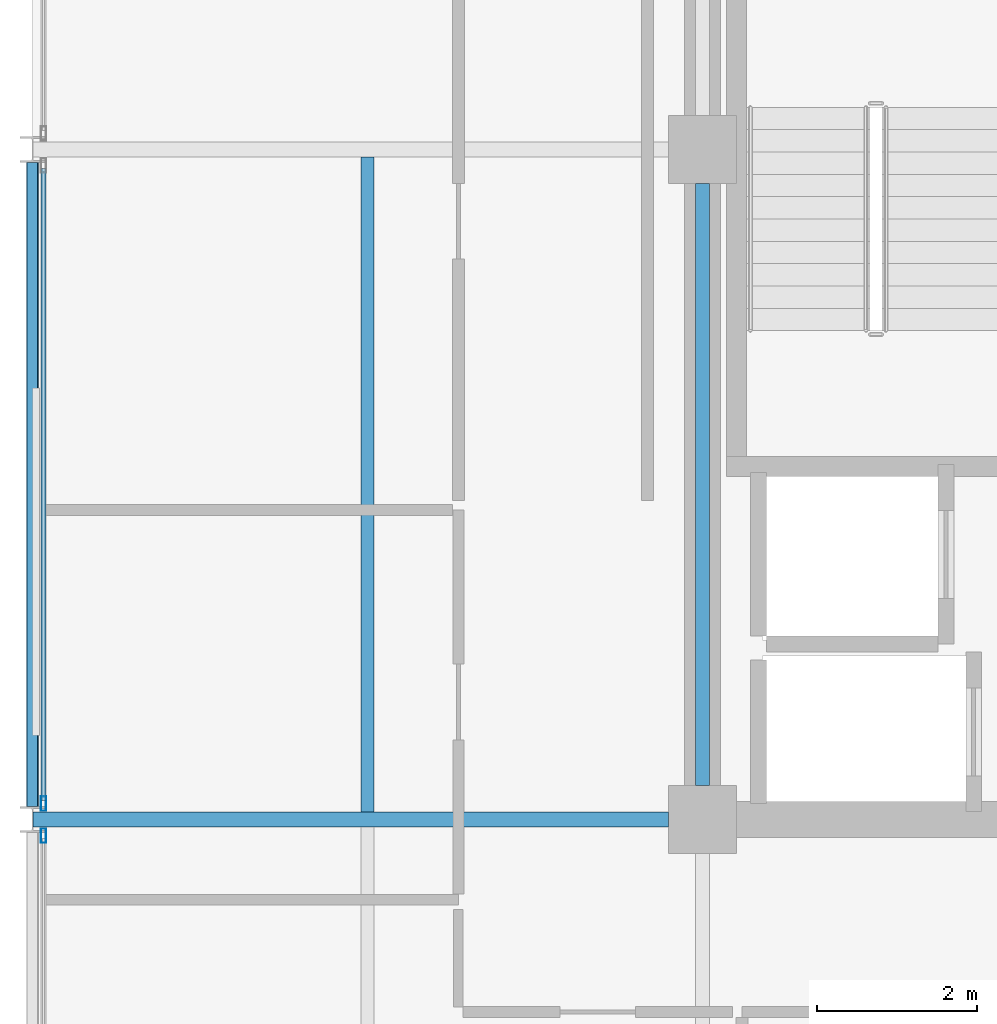
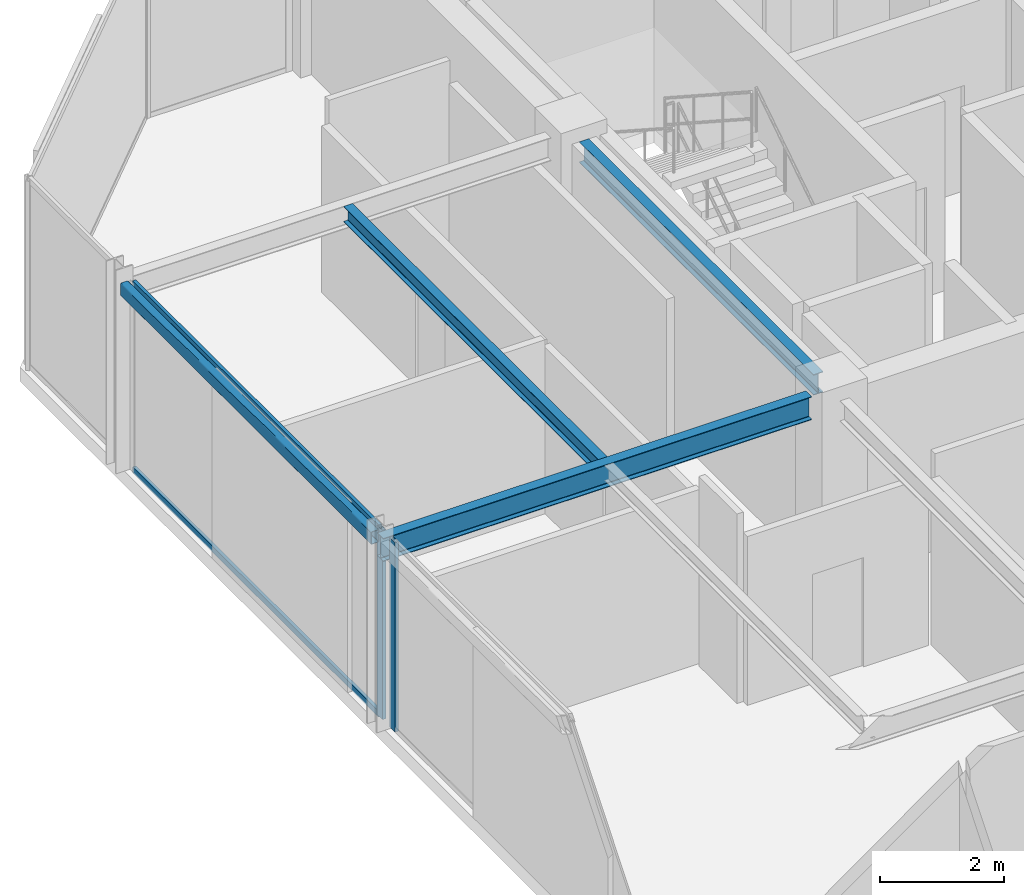
# One storey, part 11 of 24: 4 beams, 4 members, 2 elements without a shape of their own.
"""IFC4 building model written with IfcOpenShell, lengths in metres."""

from ifc_helpers import new_model, si_unit, direction, frame, origin, origin_2d, place, context, subcontext, project, spatial, hollow_rectangle, i_section, extrude, material, layer, layer_set, material_profile, profile_set, type_object, element, aggregate, save


model = new_model("IFC4")

# Units and contexts
model_context = context("Model", 3, precision=1e-05, world=origin(), true_north=direction((0.0, 1.0)))
body_context = subcontext(model_context, "Body", "Model", "MODEL_VIEW")
ifc_project = project(units=[si_unit("LENGTHUNIT", "METRE"), si_unit("AREAUNIT", "SQUARE_METRE"), si_unit("VOLUMEUNIT", "CUBIC_METRE"), si_unit("PLANEANGLEUNIT", "RADIAN"), si_unit("MASSUNIT", "GRAM", prefix="KILO")], contexts=[model_context])

# Site, building, storey
site_placement = place(None, origin())
site = spatial("IfcSite", under=ifc_project, at=site_placement, CompositionType="ELEMENT")
building_placement = place(site_placement, origin())
building = spatial("IfcBuilding", under=site, at=building_placement, Name="Nerrivon Quay Data Exchange", CompositionType="ELEMENT")
storey_placement = place(building_placement, frame((0.0, 0.0, 306.199951171875)))
storey = spatial("IfcBuildingStorey", under=building, at=storey_placement, Name="L73", CompositionType="ELEMENT", Elevation=306.199951171875)

# Beams
ifc_material_1 = material(Name="Steel Grade 350", Category="steel")
ifc_material_profile_1 = material_profile(ifc_material_1, i_section(OverallWidth=0.18994140625, OverallDepth=0.4541015625, WebThickness=0.008544921875, FlangeThickness=0.0126953125, FilletRadius=0.011474609375, at=origin_2d()), Name="460UB67.1")
ifc_profile_set_1 = profile_set([ifc_material_profile_1], Name="Steel Grade 350")
beam_type_1 = type_object("IfcBeamType", Name="BM-G6-460UB67", PredefinedType="BEAM", material=ifc_profile_set_1)
beam_1_placement = place(storey_placement, frame((0.0078125, 25.199951171875, 3.498046875), z_axis=(1.0, 0.0, 0.0), x_axis=(0.0, 1.0, 0.0)))
element("IfcBeam", 1, at=beam_1_placement, inside=storey, type_object=beam_type_1, Name="L73 EW Girder Y=25.2 (0.0..8.4)", PredefinedType="BEAM", context=body_context, shape_type="SweptSolid", body=[
    extrude(i_section(OverallWidth=0.18994140625, OverallDepth=0.4541015625, WebThickness=0.008544921875, FlangeThickness=0.0126953125, FilletRadius=0.011474609375, at=origin_2d()), origin(), (0.0, 0.0, 1.0), 7.96728515625),
])
ifc_material_profile_2 = material_profile(ifc_material_1, i_section(OverallWidth=0.177978515625, OverallDepth=0.406005859375, WebThickness=0.0078125, FlangeThickness=0.0126953125, FilletRadius=0.011474609375, at=origin_2d()), Name="410UB59.7")
ifc_profile_set_2 = profile_set([ifc_material_profile_2], Name="Steel Grade 350")
beam_type_2 = type_object("IfcBeamType", Name="BM-J1-410UB60", PredefinedType="JOIST", material=ifc_profile_set_2)
beam_2_placement = place(storey_placement, frame((8.39990234375, 25.625, 3.52197265625), z_axis=(0.0, 1.0, 0.0), x_axis=(-1.0, 0.0, 0.0)))
element("IfcBeam", 2, at=beam_2_placement, inside=storey, type_object=beam_type_2, Name="L73 NS Girder X=8.4 (25.2..33.6)", PredefinedType="JOIST", context=body_context, shape_type="SweptSolid", body=[
    extrude(i_section(OverallWidth=0.177978515625, OverallDepth=0.406005859375, WebThickness=0.0078125, FlangeThickness=0.0126953125, FilletRadius=0.011474609375, at=origin_2d()), origin(), (0.0, 0.0, 1.0), 7.550048828125),
])
ifc_material_profile_3 = material_profile(ifc_material_1, i_section(OverallWidth=0.1650390625, OverallDepth=0.303955078125, WebThickness=0.006103515625, FlangeThickness=0.01025390625, FilletRadius=0.011474609375, at=origin_2d()), Name="310UB40.4")
ifc_profile_set_3 = profile_set([ifc_material_profile_3], Name="Steel Grade 350")
beam_type_3 = type_object("IfcBeamType", Name="BM-J6-310UB40", PredefinedType="JOIST", material=ifc_profile_set_3)
beam_3_placement = place(storey_placement, frame((4.199951171875, 25.294921875, 3.572998046875), z_axis=(0.0, 1.0, 0.0), x_axis=(-1.0, 0.0, 0.0)))
element("IfcBeam", 3, at=beam_3_placement, inside=storey, type_object=beam_type_3, Name="L73 Secondary Joist X=4.2 (25.2..33.6)", PredefinedType="JOIST", context=body_context, shape_type="SweptSolid", body=[
    extrude(i_section(OverallWidth=0.1650390625, OverallDepth=0.303955078125, WebThickness=0.006103515625, FlangeThickness=0.01025390625, FilletRadius=0.011474609375, at=origin_2d()), origin(), (0.0, 0.0, 1.0), 8.2099609375),
])
ifc_material_2 = material(Name="Steel Grade C350L0 (350 MPa)", Category="steel")
ifc_material_profile_4 = material_profile(ifc_material_2, hollow_rectangle(XDim=0.14990234375, YDim=0.25, WallThickness=0.009033203125, InnerFilletRadius=0.013427734375, OuterFilletRadius=0.0224609375, at=origin_2d()), Name="250x150x9.0RHS")
ifc_profile_set_4 = profile_set([ifc_material_profile_4], Name="Steel Grade C350L0 (350 MPa)")
beam_type_4 = type_object("IfcBeamType", Name="BM-SP4-250x150RHS", PredefinedType="SPANDREL", material=ifc_profile_set_4)
beam_4_placement = place(storey_placement, frame((0.0, 25.363525390625, 3.60009765625), z_axis=(0.0, 1.0, 0.0), x_axis=(-1.0, 0.0, 0.0)))
element("IfcBeam", 4, at=beam_4_placement, inside=storey, type_object=beam_type_4, Name="L73 NS Girder X=0.0 (25.2..33.6)", PredefinedType="SPANDREL", context=body_context, shape_type="SweptSolid", body=[
    extrude(hollow_rectangle(XDim=0.14990234375, YDim=0.25, WallThickness=0.009033203125, InnerFilletRadius=0.013427734375, OuterFilletRadius=0.0224609375, at=origin_2d()), origin(), (0.0, 0.0, 1.0), 8.072998046875),
])

# Curtain wall, member
ifc_material_3 = material(Name="Anodised aluminium 6063-T6", Category="aluminium")
ifc_layer = layer(ifc_material_3, 0.195068359375)
ifc_layer_set = layer_set([ifc_layer], Name="Anodised aluminium 6063-T6")
curtain_wall_type = type_object("IfcCurtainWallType", Name="CW-SYS-06", PredefinedType="NOTDEFINED", material=ifc_layer_set)
curtain_wall_1_placement = place(storey_placement, origin())
curtain_wall_1 = element("IfcCurtainWall", 5, at=curtain_wall_1_placement, inside=storey, type_object=curtain_wall_type, Name="L73 Unitised Curtain Wall 10", PredefinedType="NOTDEFINED")
ifc_material_profile_5 = material_profile(ifc_material_3, hollow_rectangle(XDim=0.06494140625, YDim=0.179931640625, WallThickness=0.00341796875, at=origin_2d()), Name="ALU-MULL-180x65")
ifc_profile_set_5 = profile_set([ifc_material_profile_5], Name="Anodised aluminium 6063-T6")
member_type_1 = type_object("IfcMemberType", Name="CWM-180x65", PredefinedType="MULLION", material=ifc_profile_set_5)
member_1_placement = place(storey_placement, frame((0.139892578125, 24.9990234375, 0.0), z_axis=(0.0, 0.0, 1.0), x_axis=(-1.0, 0.0, 0.0)))
member_1 = element("IfcMember", 6, at=member_1_placement, type_object=member_type_1, Name="CW06 mullion 2", PredefinedType="MULLION", context=body_context, shape_type="SweptSolid", body=[
    extrude(hollow_rectangle(XDim=0.06494140625, YDim=0.179931640625, WallThickness=0.00341796875, at=origin_2d()), origin(), (0.0, 0.0, 1.0), 3.72509765625),
])
aggregate(curtain_wall_1, [member_1])

# Curtain wall, members
curtain_wall_2_placement = place(storey_placement, origin())
curtain_wall_2 = element("IfcCurtainWall", 7, at=curtain_wall_2_placement, inside=storey, type_object=curtain_wall_type, Name="L73 Unitised Curtain Wall 11", PredefinedType="NOTDEFINED")
member_2_placement = place(storey_placement, frame((0.139892578125, 25.40087890625, 0.0), z_axis=(0.0, 0.0, 1.0), x_axis=(-1.0, 0.0, 0.0)))
member_2 = element("IfcMember", 8, at=member_2_placement, type_object=member_type_1, Name="CW06 mullion 1", PredefinedType="MULLION", context=body_context, shape_type="SweptSolid", body=[
    extrude(hollow_rectangle(XDim=0.06494140625, YDim=0.179931640625, WallThickness=0.00341796875, at=origin_2d()), origin(), (0.0, 0.0, 1.0), 3.72509765625),
])
ifc_material_profile_6 = material_profile(ifc_material_3, hollow_rectangle(XDim=0.06005859375, YDim=0.1201171875, WallThickness=0.003173828125, at=origin_2d()), Name="ALU-TRAN-120x60")
ifc_profile_set_6 = profile_set([ifc_material_profile_6], Name="Anodised aluminium 6063-T6")
member_type_2 = type_object("IfcMemberType", Name="CWT-120x60", PredefinedType="USERDEFINED", material=ifc_profile_set_6)
member_3_placement = place(storey_placement, frame((0.139892578125, 25.4384765625, 0.032470703125), z_axis=(0.0, 1.0, 0.0), x_axis=(-1.0, 0.0, 0.0)))
member_3 = element("IfcMember", 9, at=member_3_placement, type_object=member_type_2, Name="CW06 transom 1.1", ObjectType="TRANSOM", PredefinedType="USERDEFINED", context=body_context, shape_type="SweptSolid", body=[
    extrude(hollow_rectangle(XDim=0.06005859375, YDim=0.1201171875, WallThickness=0.003173828125, at=origin_2d()), origin(), (0.0, 0.0, 1.0), 7.923095703125),
])
member_4_placement = place(storey_placement, frame((0.139892578125, 25.4384765625, 3.692626953125), z_axis=(0.0, 1.0, 0.0), x_axis=(-1.0, 0.0, 0.0)))
member_4 = element("IfcMember", 10, at=member_4_placement, type_object=member_type_2, Name="CW06 transom 1.2", ObjectType="TRANSOM", PredefinedType="USERDEFINED", context=body_context, shape_type="SweptSolid", body=[
    extrude(hollow_rectangle(XDim=0.06005859375, YDim=0.1201171875, WallThickness=0.003173828125, at=origin_2d()), origin(), (0.0, 0.0, 1.0), 7.923095703125),
])
aggregate(curtain_wall_2, [member_2, member_3, member_4])

save(model, "model.ifc")
